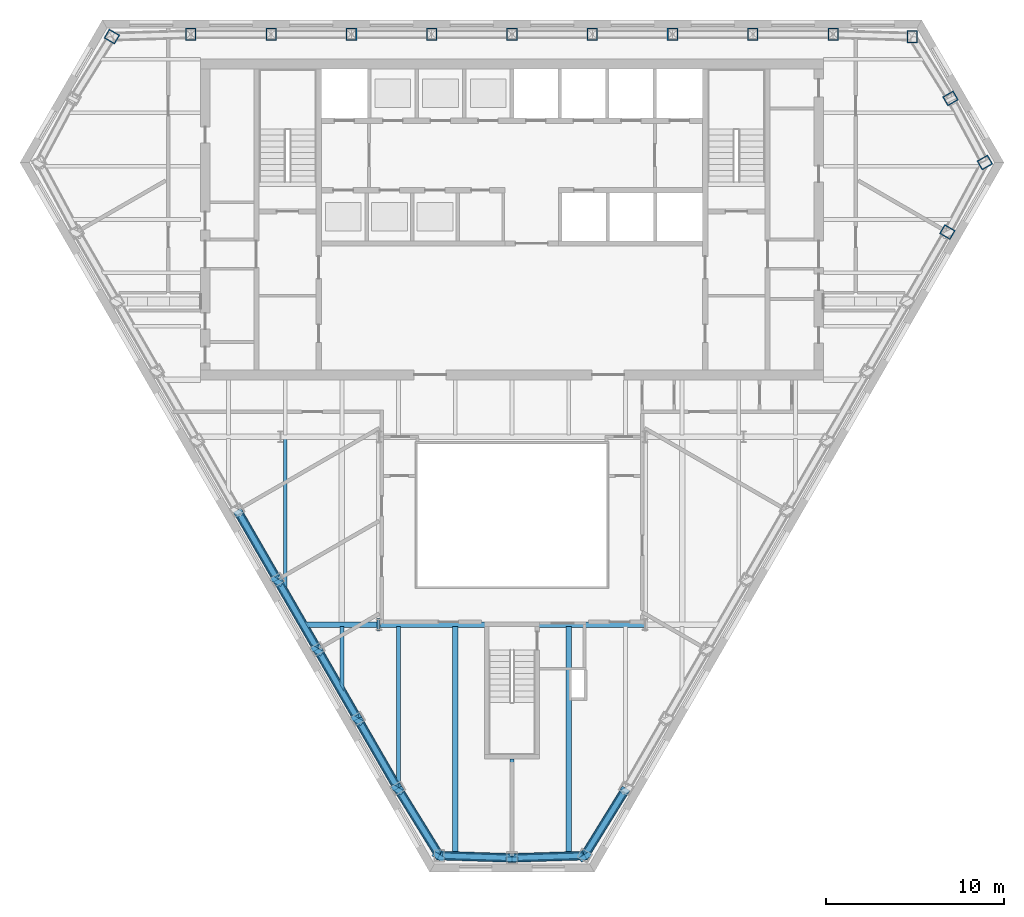
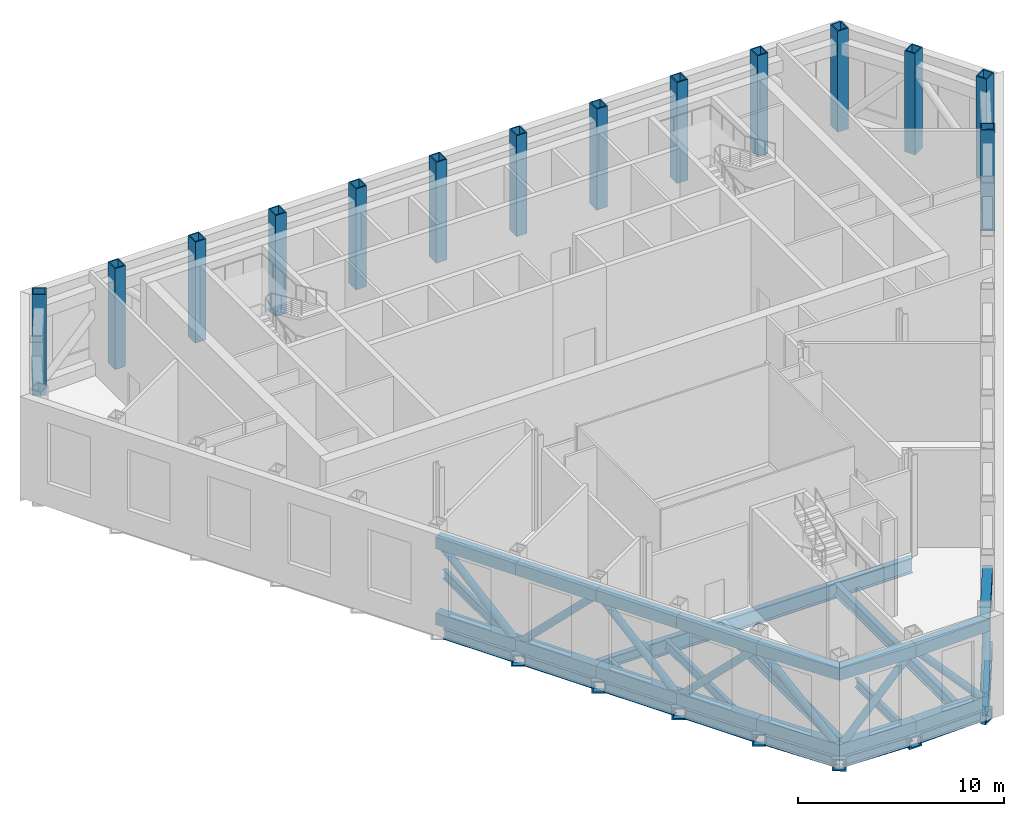
# One storey, part 2 of 15: 24 beams, 24 members, 14 columns.
"""IFC4 building model written with IfcOpenShell, lengths in metres."""

from ifc_helpers import new_model, si_unit, direction, frame, origin, origin_2d, place, context, subcontext, project, spatial, hollow_rectangle, hollow_circle, i_section, extrude, clip, halfspace, material, material_profile, profile_set, type_object, element, save


model = new_model("IFC4")

# Units and contexts
model_context = context("Model", 3, precision=1e-05, world=origin(), true_north=direction((0.0, 1.0)))
body_context = subcontext(model_context, "Body", "Model", "MODEL_VIEW")
ifc_project = project(units=[si_unit("LENGTHUNIT", "METRE"), si_unit("AREAUNIT", "SQUARE_METRE"), si_unit("VOLUMEUNIT", "CUBIC_METRE"), si_unit("PLANEANGLEUNIT", "RADIAN"), si_unit("MASSUNIT", "GRAM", prefix="KILO")], contexts=[model_context])

# Site, building, storey
site_placement = place(None, origin())
site = spatial("IfcSite", under=ifc_project, at=site_placement, CompositionType="ELEMENT")
building_placement = place(site_placement, origin())
building = spatial("IfcBuilding", under=site, at=building_placement, Name="Njiva Tower", CompositionType="ELEMENT")
storey_placement = place(building_placement, frame((0.0, 0.0, 133.8)))
storey = spatial("IfcBuildingStorey", under=building, at=storey_placement, Name="L28", CompositionType="ELEMENT", Elevation=133.8)

# Columns
ifc_material_1 = material(Name="Steel S355 J2", Category="steel")
ifc_material_profile_1 = material_profile(ifc_material_1, hollow_rectangle(XDim=0.6, YDim=0.7, WallThickness=0.06, at=origin_2d()), Name="BOX 700x600x60")
ifc_profile_set_1 = profile_set([ifc_material_profile_1], Name="Steel S355 J2")
column_type = type_object("IfcColumnType", Name="C9 Perimeter tube column BOX 700x600x60", PredefinedType="COLUMN", material=ifc_profile_set_1)
for number, where, z_axis, x_axis, name in (
    (1, (22.466, 19.267, 0.0), (0.0, 0.0, 1.0), (-1.0, 0.0, 0.0), "Perimeter tube column T2-C01"),
    (2, (18.034, 19.4, 0.0), (0.0, 0.0, 1.0), (-1.0, 0.0, 0.0), "Perimeter tube column T2-C02"),
    (3, (13.526, 19.4, 0.0), (0.0, 0.0, 1.0), (-1.0, 0.0, 0.0), "Perimeter tube column T2-C03"),
    (4, (9.017, 19.4, 0.0), (0.0, 0.0, 1.0), (-1.0, 0.0, 0.0), "Perimeter tube column T2-C04"),
    (5, (4.509, 19.4, 0.0), (0.0, 0.0, 1.0), (-1.0, 0.0, 0.0), "Perimeter tube column T2-C05"),
    (6, (0.0, 19.4, 0.0), (0.0, 0.0, 1.0), (-1.0, 0.0, 0.0), "Perimeter tube column T2-C06"),
    (7, (-4.509, 19.4, 0.0), (0.0, 0.0, 1.0), (-1.0, 0.0, 0.0), "Perimeter tube column T2-C07"),
    (8, (-9.017, 19.4, 0.0), (0.0, 0.0, 1.0), (-1.0, 0.0, 0.0), "Perimeter tube column T2-C08"),
    (9, (-13.526, 19.4, 0.0), (0.0, 0.0, 1.0), (-1.0, 0.0, 0.0), "Perimeter tube column T2-C09"),
    (10, (-18.034, 19.4, 0.0), (0.0, 0.0, 1.0), (-1.0, 0.0, 0.0), "Perimeter tube column T2-C10"),
    (11, (-22.466, 19.267, 0.0), (0.0, 0.0, 1.0), (-0.5, -0.866025403784, 0.0), "Perimeter tube column T2-C11"),
    (12, (24.447, 8.293, 0.0), (0.0, 0.0, 1.0), (0.5, 0.866025403784, 0.0), "Perimeter tube column T2-C34"),
    (13, (26.548, 12.198, 0.0), (0.0, 0.0, 1.0), (-0.5, 0.866025403784, 0.0), "Perimeter tube column T2-C35"),
    (14, (24.622, 15.799, 0.0), (0.0, 0.0, 1.0), (-0.5, 0.866025403784, 0.0), "Perimeter tube column T2-C36"),
):
    element("IfcColumn", number, at=place(storey_placement, frame(where, z_axis=z_axis, x_axis=x_axis)), inside=storey, type_object=column_type, Name=name, PredefinedType="COLUMN", context=body_context, shape_type="SweptSolid", body=[
        extrude(hollow_rectangle(XDim=0.6, YDim=0.7, WallThickness=0.06, at=origin_2d()), origin(), (0.0, 0.0, 1.0), 6.0),
    ])

# Beams
ifc_material_profile_2 = material_profile(ifc_material_1, i_section(OverallWidth=0.3, OverallDepth=0.69, WebThickness=0.0145, FlangeThickness=0.027, at=origin_2d()), Name="HEA 700")
ifc_profile_set_2 = profile_set([ifc_material_profile_2], Name="Steel S355 J2")
beam_type_1 = type_object("IfcBeamType", Name="B12 Long-span floor joist HEA 700", PredefinedType="JOIST", material=ifc_profile_set_2)
for number, where, z_axis, x_axis, name in (
    (15, (-3.183, -13.851, -0.545), (0.0, -1.0, 0.0), (1.0, 0.0, 0.0), "Long-span floor joist T2-B059"),
    (16, (3.183, -13.851, -0.545), (0.0, -1.0, 0.0), (1.0, 0.0, 0.0), "Long-span floor joist T2-B063"),
):
    element("IfcBeam", number, at=place(storey_placement, frame(where, z_axis=z_axis, x_axis=x_axis)), inside=storey, type_object=beam_type_1, Name=name, PredefinedType="JOIST", context=body_context, shape_type="SweptSolid", body=[
        extrude(i_section(OverallWidth=0.3, OverallDepth=0.69, WebThickness=0.0145, FlangeThickness=0.027, at=origin_2d()), origin(), (0.0, 0.0, 1.0), 12.79),
    ])
ifc_material_profile_3 = material_profile(ifc_material_1, hollow_rectangle(XDim=0.7, YDim=0.7, WallThickness=0.08, at=origin_2d()), Name="BOX 700x700x80")
ifc_profile_set_3 = profile_set([ifc_material_profile_3], Name="Steel S355 J2")
beam_type_2 = type_object("IfcBeamType", Name="B19 Column jog beam BOX 700x700x80", PredefinedType="BEAM", material=ifc_profile_set_3)
beam_1_placement = place(storey_placement, frame((-13.293, -11.432, -0.55), z_axis=(0.503447958837, 0.864025550978, 0.0), x_axis=(-0.864025550978, 0.503447958837, 0.0)))
element("IfcBeam", 17, at=beam_1_placement, inside=storey, type_object=beam_type_2, Name="Column jog beam T2-B028", PredefinedType="BEAM", context=body_context, shape_type="SweptSolid", body=[
    extrude(hollow_rectangle(XDim=0.7, YDim=0.7, WallThickness=0.08, at=origin_2d()), origin(), (0.0, 0.0, 1.0), 0.294),
])
beam_2_placement = place(storey_placement, frame((-11.041, -15.336, -0.55), z_axis=(0.511007817722, 0.859576064247, 0.0), x_axis=(-0.859576064247, 0.511007817722, 0.0)))
element("IfcBeam", 18, at=beam_2_placement, inside=storey, type_object=beam_type_2, Name="Column jog beam T2-B029", PredefinedType="BEAM", context=body_context, shape_type="SweptSolid", body=[
    extrude(hollow_rectangle(XDim=0.7, YDim=0.7, WallThickness=0.08, at=origin_2d()), origin(), (0.0, 0.0, 1.0), 0.2955),
])
beam_3_placement = place(storey_placement, frame((-8.787, -19.24, -0.55), z_axis=(0.512497875226, 0.858688492929, 0.0), x_axis=(-0.858688492929, 0.512497875226, 0.0)))
element("IfcBeam", 19, at=beam_3_placement, inside=storey, type_object=beam_type_2, Name="Column jog beam T2-B030", PredefinedType="BEAM", context=body_context, shape_type="SweptSolid", body=[
    extrude(hollow_rectangle(XDim=0.7, YDim=0.7, WallThickness=0.08, at=origin_2d()), origin(), (0.0, 0.0, 1.0), 0.2946),
])
beam_4_placement = place(storey_placement, frame((-6.533, -23.142, -0.55), z_axis=(0.519513166522, 0.854462444938, 0.0), x_axis=(-0.854462444938, 0.519513166522, 0.0)))
element("IfcBeam", 20, at=beam_4_placement, inside=storey, type_object=beam_type_2, Name="Column jog beam T2-B033", PredefinedType="BEAM", context=body_context, shape_type="SweptSolid", body=[
    extrude(hollow_rectangle(XDim=0.7, YDim=0.7, WallThickness=0.08, at=origin_2d()), origin(), (0.0, 0.0, 1.0), 0.2926),
])
beam_5_placement = place(storey_placement, frame((-4.202, -26.913, -0.55), z_axis=(0.521033983049, 0.853535932758, 0.0), x_axis=(-0.853535932758, 0.521033983049, 0.0)))
element("IfcBeam", 21, at=beam_5_placement, inside=storey, type_object=beam_type_2, Name="Column jog beam T2-B034", PredefinedType="BEAM", context=body_context, shape_type="SweptSolid", body=[
    extrude(hollow_rectangle(XDim=0.7, YDim=0.7, WallThickness=0.08, at=origin_2d()), origin(), (0.0, 0.0, 1.0), 0.2917),
])
beam_6_placement = place(storey_placement, frame((0.0, -27.055, -0.55), z_axis=(0.0, 1.0, 0.0), x_axis=(-1.0, 0.0, 0.0)))
element("IfcBeam", 22, at=beam_6_placement, inside=storey, type_object=beam_type_2, Name="Column jog beam T2-B035", PredefinedType="BEAM", context=body_context, shape_type="SweptSolid", body=[
    extrude(hollow_rectangle(XDim=0.7, YDim=0.7, WallThickness=0.08, at=origin_2d()), origin(), (0.0, 0.0, 1.0), 0.267),
])
beam_7_placement = place(storey_placement, frame((4.202, -26.913, -0.55), z_axis=(-0.521033983049, 0.853535932758, 0.0), x_axis=(-0.853535932758, -0.521033983049, 0.0)))
element("IfcBeam", 23, at=beam_7_placement, inside=storey, type_object=beam_type_2, Name="Column jog beam T2-B036", PredefinedType="BEAM", context=body_context, shape_type="SweptSolid", body=[
    extrude(hollow_rectangle(XDim=0.7, YDim=0.7, WallThickness=0.08, at=origin_2d()), origin(), (0.0, 0.0, 1.0), 0.2917),
])
beam_8_placement = place(storey_placement, frame((-7.57, -13.75, -0.55), z_axis=(1.0, 0.0, 0.0), x_axis=(0.0, 1.0, 0.0)))
element("IfcBeam", 24, at=beam_8_placement, inside=storey, type_object=beam_type_2, Name="Column jog beam T2-B031", PredefinedType="BEAM", context=body_context, shape_type="SweptSolid", body=[
    extrude(hollow_rectangle(XDim=0.7, YDim=0.7, WallThickness=0.08, at=origin_2d()), origin(), (0.0, 0.0, 1.0), 0.17),
])
ifc_material_profile_4 = material_profile(ifc_material_1, i_section(OverallWidth=0.3, OverallDepth=0.59, WebThickness=0.013, FlangeThickness=0.025, at=origin_2d()), Name="HEA 600")
ifc_profile_set_4 = profile_set([ifc_material_profile_4], Name="Steel S355 J2")
beam_type_3 = type_object("IfcBeamType", Name="B27 Short-span spandrel beam HEA 600", PredefinedType="SPANDREL", material=ifc_profile_set_4)
beam_9_placement = place(storey_placement, frame((-15.248, -7.639, -0.495), z_axis=(0.499890179513, -0.866088799389, 0.0), x_axis=(0.866088799389, 0.499890179513, 0.0)))
element("IfcBeam", 25, at=beam_9_placement, inside=storey, type_object=beam_type_3, Name="Short-span spandrel beam T2-B087", PredefinedType="SPANDREL", context=body_context, shape_type="SweptSolid", body=[
    extrude(i_section(OverallWidth=0.3, OverallDepth=0.59, WebThickness=0.013, FlangeThickness=0.025, at=origin_2d()), origin(), (0.0, 0.0, 1.0), 3.9569),
])
beam_10_placement = place(storey_placement, frame((-12.995, -11.543, -0.495), z_axis=(0.500079715141, -0.865979375335, 0.0), x_axis=(0.865979375335, 0.500079715141, 0.0)))
element("IfcBeam", 26, at=beam_10_placement, inside=storey, type_object=beam_type_3, Name="Short-span spandrel beam T2-B089", PredefinedType="SPANDREL", context=body_context, shape_type="SweptSolid", body=[
    extrude(i_section(OverallWidth=0.3, OverallDepth=0.59, WebThickness=0.013, FlangeThickness=0.025, at=origin_2d()), origin(), (0.0, 0.0, 1.0), 3.9574),
])
beam_11_placement = place(storey_placement, frame((-10.741, -15.446, -0.495), z_axis=(0.499970304126, -0.866042548026, 0.0), x_axis=(0.866042548026, 0.499970304126, 0.0)))
element("IfcBeam", 27, at=beam_11_placement, inside=storey, type_object=beam_type_3, Name="Short-span spandrel beam T2-B090", PredefinedType="SPANDREL", context=body_context, shape_type="SweptSolid", body=[
    extrude(i_section(OverallWidth=0.3, OverallDepth=0.59, WebThickness=0.013, FlangeThickness=0.025, at=origin_2d()), origin(), (0.0, 0.0, 1.0), 3.9582),
])
beam_12_placement = place(storey_placement, frame((-8.487, -19.35, -0.495), z_axis=(0.500079715141, -0.865979375335, 0.0), x_axis=(0.865979375335, 0.500079715141, 0.0)))
element("IfcBeam", 28, at=beam_12_placement, inside=storey, type_object=beam_type_3, Name="Short-span spandrel beam T2-B092", PredefinedType="SPANDREL", context=body_context, shape_type="SweptSolid", body=[
    extrude(i_section(OverallWidth=0.3, OverallDepth=0.59, WebThickness=0.013, FlangeThickness=0.025, at=origin_2d()), origin(), (0.0, 0.0, 1.0), 3.9574),
])
beam_13_placement = place(storey_placement, frame((-6.222, -23.251, -0.495), z_axis=(0.52567337766, -0.850686487503, 0.0), x_axis=(0.850686487503, 0.52567337766, 0.0)))
element("IfcBeam", 29, at=beam_13_placement, inside=storey, type_object=beam_type_3, Name="Short-span spandrel beam T2-B093", PredefinedType="SPANDREL", context=body_context, shape_type="Clipping", body=[
    clip(extrude(i_section(OverallWidth=0.3, OverallDepth=0.59, WebThickness=0.013, FlangeThickness=0.025, at=origin_2d()), origin(), (0.0, 0.0, 1.0), 4.0052), halfspace(frame((-0.026, 0.0, 3.8761), z_axis=(-0.52567337766, 0.0, 0.850686487503), x_axis=(0.0, 1.0, 0.0)), False)),
])
beam_14_placement = place(storey_placement, frame((-3.892, -26.721, -0.495), z_axis=(0.999467093729, -0.032642434835, 0.0), x_axis=(0.032642434835, 0.999467093729, 0.0)))
element("IfcBeam", 30, at=beam_14_placement, inside=storey, type_object=beam_type_3, Name="Short-span spandrel beam T2-B095", PredefinedType="SPANDREL", context=body_context, shape_type="SweptSolid", body=[
    extrude(i_section(OverallWidth=0.3, OverallDepth=0.59, WebThickness=0.013, FlangeThickness=0.025, at=origin_2d()), origin(), (0.0, 0.0, 1.0), 3.6149),
])
beam_15_placement = place(storey_placement, frame((0.279, -26.839, -0.495), z_axis=(0.999471196505, 0.032516570496, 0.0), x_axis=(-0.032516570496, 0.999471196505, 0.0)))
element("IfcBeam", 31, at=beam_15_placement, inside=storey, type_object=beam_type_3, Name="Short-span spandrel beam T2-B097", PredefinedType="SPANDREL", context=body_context, shape_type="Clipping", body=[
    clip(extrude(i_section(OverallWidth=0.3, OverallDepth=0.59, WebThickness=0.013, FlangeThickness=0.025, at=origin_2d()), origin(), (0.0, 0.0, 1.0), 3.7419), halfspace(frame((-0.0259, 0.0, 3.6128), z_axis=(-0.527893822548, 0.0, 0.849310374431), x_axis=(0.0, 1.0, 0.0)), False)),
])
beam_16_placement = place(storey_placement, frame((4.184, -26.548, -0.495), z_axis=(0.525794946338, 0.850611353325, 0.0), x_axis=(-0.850611353325, 0.525794946338, 0.0)))
element("IfcBeam", 32, at=beam_16_placement, inside=storey, type_object=beam_type_3, Name="Short-span spandrel beam T2-B098", PredefinedType="SPANDREL", context=body_context, shape_type="SweptSolid", body=[
    extrude(i_section(OverallWidth=0.3, OverallDepth=0.59, WebThickness=0.013, FlangeThickness=0.025, at=origin_2d()), origin(), (0.0, 0.0, 1.0), 3.876),
])
ifc_material_profile_5 = material_profile(ifc_material_1, i_section(OverallWidth=0.3, OverallDepth=0.59, WebThickness=0.013, FlangeThickness=0.025, at=origin_2d()), Name="HEA 600")
ifc_profile_set_5 = profile_set([ifc_material_profile_5], Name="Steel S355 J2")
beam_type_4 = type_object("IfcBeamType", Name="B29 Short-span floor girder HEA 600", PredefinedType="BEAM", material=ifc_profile_set_5)
beam_17_placement = place(storey_placement, frame((-11.712, -13.75, -0.495), z_axis=(1.0, 0.0, 0.0), x_axis=(0.0, 1.0, 0.0)))
element("IfcBeam", 33, at=beam_17_placement, inside=storey, type_object=beam_type_4, Name="Short-span floor girder T2-B016", PredefinedType="BEAM", context=body_context, shape_type="Clipping", body=[
    clip(extrude(i_section(OverallWidth=0.3, OverallDepth=0.59, WebThickness=0.013, FlangeThickness=0.025, at=origin_2d()), origin(), (0.0, 0.0, 1.0), 4.252), halfspace(frame((-0.025, 0.0, 0.1217), z_axis=(-0.499998009787, 0.0, -0.866026552831), x_axis=(0.0, -1.0, 0.0)), False)),
])
ifc_material_profile_6 = material_profile(ifc_material_1, i_section(OverallWidth=0.21, OverallDepth=0.55, WebThickness=0.0111, FlangeThickness=0.0172, at=origin_2d()), Name="IPE 550")
ifc_profile_set_6 = profile_set([ifc_material_profile_6], Name="Steel S355 J2")
beam_type_5 = type_object("IfcBeamType", Name="B31 Short-span floor joist IPE 550", PredefinedType="JOIST", material=ifc_profile_set_6)
beam_18_placement = place(storey_placement, frame((-9.55, -13.85, -0.475), z_axis=(0.0, -1.0, 0.0), x_axis=(1.0, 0.0, 0.0)))
element("IfcBeam", 34, at=beam_18_placement, inside=storey, type_object=beam_type_5, Name="Short-span floor joist T2-B054", PredefinedType="JOIST", context=body_context, shape_type="Clipping", body=[
    clip(extrude(i_section(OverallWidth=0.21, OverallDepth=0.55, WebThickness=0.0111, FlangeThickness=0.0172, at=origin_2d()), origin(), (0.0, 0.0, 1.0), 3.661), halfspace(frame((-0.0433, 0.0, 3.3839), z_axis=(-0.866026552831, 0.0, 0.499998009787), x_axis=(0.0, 1.0, 0.0)), False)),
])
ifc_material_profile_7 = material_profile(ifc_material_1, i_section(OverallWidth=0.21, OverallDepth=0.55, WebThickness=0.0111, FlangeThickness=0.0172, at=origin_2d()), Name="IPE 550")
ifc_profile_set_7 = profile_set([ifc_material_profile_7], Name="Steel S355 J2")
beam_type_6 = type_object("IfcBeamType", Name="B32 Floor joist IPE 550", PredefinedType="JOIST", material=ifc_profile_set_7)
beam_19_placement = place(storey_placement, frame((-12.733, -3.3, -0.475), z_axis=(0.0, -1.0, 0.0), x_axis=(1.0, 0.0, 0.0)))
element("IfcBeam", 35, at=beam_19_placement, inside=storey, type_object=beam_type_6, Name="Floor joist T2-B052", PredefinedType="JOIST", context=body_context, shape_type="Clipping", body=[
    clip(extrude(i_section(OverallWidth=0.21, OverallDepth=0.55, WebThickness=0.0111, FlangeThickness=0.0172, at=origin_2d()), origin(), (0.0, 0.0, 1.0), 8.697), halfspace(frame((-0.0436, 0.0, 8.4202), z_axis=(-0.866026552831, 0.0, 0.499998009787), x_axis=(0.0, 1.0, 0.0)), False)),
])
beam_20_placement = place(storey_placement, frame((-6.367, -13.851, -0.475), z_axis=(0.0, -1.0, 0.0), x_axis=(1.0, 0.0, 0.0)))
element("IfcBeam", 36, at=beam_20_placement, inside=storey, type_object=beam_type_6, Name="Floor joist T2-B057", PredefinedType="JOIST", context=body_context, shape_type="Clipping", body=[
    clip(extrude(i_section(OverallWidth=0.21, OverallDepth=0.55, WebThickness=0.0111, FlangeThickness=0.0172, at=origin_2d()), origin(), (0.0, 0.0, 1.0), 8.925), halfspace(frame((0.0253, 0.0, 8.8299), z_axis=(0.499998009787, 0.0, 0.866026552831), x_axis=(0.0, 1.0, 0.0)), False)),
])
beam_21_placement = place(storey_placement, frame((0.0, -21.3, -0.475), z_axis=(0.0, -1.0, 0.0), x_axis=(1.0, 0.0, 0.0)))
element("IfcBeam", 37, at=beam_21_placement, inside=storey, type_object=beam_type_6, Name="Floor joist T2-B061", PredefinedType="JOIST", context=body_context, shape_type="SweptSolid", body=[
    extrude(i_section(OverallWidth=0.21, OverallDepth=0.55, WebThickness=0.0111, FlangeThickness=0.0172, at=origin_2d()), origin(), (0.0, 0.0, 1.0), 5.395),
])
ifc_material_profile_8 = material_profile(ifc_material_1, i_section(OverallWidth=0.302, OverallDepth=0.91, WebThickness=0.021, FlangeThickness=0.04, at=origin_2d()), Name="HEM 900")
ifc_profile_set_8 = profile_set([ifc_material_profile_8], Name="Steel S355 J2")
beam_type_7 = type_object("IfcBeamType", Name="B8 Long-span atrium trimmer beam HEM 900", PredefinedType="BEAM", material=ifc_profile_set_8)
beam_22_placement = place(storey_placement, frame((-7.46, -13.75, -0.655), z_axis=(1.0, 0.0, 0.0), x_axis=(0.0, 1.0, 0.0)))
element("IfcBeam", 38, at=beam_22_placement, inside=storey, type_object=beam_type_7, Name="Long-span atrium trimmer beam T2-B075", PredefinedType="BEAM", context=body_context, shape_type="SweptSolid", body=[
    extrude(i_section(OverallWidth=0.302, OverallDepth=0.91, WebThickness=0.021, FlangeThickness=0.04, at=origin_2d()), origin(), (0.0, 0.0, 1.0), 14.92),
])

# Members
ifc_material_profile_9 = material_profile(ifc_material_1, hollow_rectangle(XDim=0.5, YDim=0.7, WallThickness=0.04, at=origin_2d()), Name="BOX 700x500x40")
ifc_profile_set_9 = profile_set([ifc_material_profile_9], Name="Steel S355 J2")
member_type_1 = type_object("IfcMemberType", Name="TC2 Belt truss chord BOX 700x500x40", PredefinedType="CHORD", material=ifc_profile_set_9)
for number, where, z_axis, x_axis, name in (
    (39, (-15.43, -7.325, 0.35), (0.500074377092, -0.865982457891, 0.0), (0.865982457891, 0.500074377092, 0.0), "Belt truss chord T2-TR052"),
    (40, (-15.43, -7.325, 4.86), (0.500074377092, -0.865982457891, 0.0), (0.865982457891, 0.500074377092, 0.0), "Belt truss chord T2-TR053"),
):
    element("IfcMember", number, at=place(storey_placement, frame(where, z_axis=z_axis, x_axis=x_axis)), inside=storey, type_object=member_type_1, Name=name, PredefinedType="CHORD", context=body_context, shape_type="SweptSolid", body=[
        extrude(hollow_rectangle(XDim=0.5, YDim=0.7, WallThickness=0.04, at=origin_2d()), origin(), (0.0, 0.0, 1.0), 4.5093),
    ])
for number, where, z_axis, x_axis, name in (
    (41, (-13.175, -11.23, 0.35), (0.500004084281, -0.866023045711, 0.0), (0.866023045711, 0.500004084281, 0.0), "Belt truss chord T2-TR055"),
    (42, (-13.175, -11.23, 4.86), (0.500004084281, -0.866023045711, 0.0), (0.866023045711, 0.500004084281, 0.0), "Belt truss chord T2-TR056"),
):
    element("IfcMember", number, at=place(storey_placement, frame(where, z_axis=z_axis, x_axis=x_axis)), inside=storey, type_object=member_type_1, Name=name, PredefinedType="CHORD", context=body_context, shape_type="SweptSolid", body=[
        extrude(hollow_rectangle(XDim=0.5, YDim=0.7, WallThickness=0.04, at=origin_2d()), origin(), (0.0, 0.0, 1.0), 4.508),
    ])
for number, where, z_axis, x_axis, name in (
    (43, (-10.921, -15.134, 0.35), (0.499908044067, -0.866078488058, 0.0), (0.866078488058, 0.499908044067, 0.0), "Belt truss chord T2-TR058"),
    (44, (-10.921, -15.134, 4.86), (0.499908044067, -0.866078488058, 0.0), (0.866078488058, 0.499908044067, 0.0), "Belt truss chord T2-TR059"),
):
    element("IfcMember", number, at=place(storey_placement, frame(where, z_axis=z_axis, x_axis=x_axis)), inside=storey, type_object=member_type_1, Name=name, PredefinedType="CHORD", context=body_context, shape_type="SweptSolid", body=[
        extrude(hollow_rectangle(XDim=0.5, YDim=0.7, WallThickness=0.04, at=origin_2d()), origin(), (0.0, 0.0, 1.0), 4.5088),
    ])
member_1_placement = place(storey_placement, frame((-8.667, -19.039, 0.35), z_axis=(0.500170427951, -0.865926984799, 0.0), x_axis=(0.865926984799, 0.500170427951, 0.0)))
element("IfcMember", 45, at=member_1_placement, inside=storey, type_object=member_type_1, Name="Belt truss chord T2-TR061", PredefinedType="CHORD", context=body_context, shape_type="Clipping", body=[
    clip(extrude(hollow_rectangle(XDim=0.5, YDim=0.7, WallThickness=0.04, at=origin_2d()), origin(), (0.0, 0.0, 1.0), 4.5425), halfspace(frame((0.0, -134.15, 4.5085), z_axis=(0.014865519453, 0.0, 0.999889502061), x_axis=(0.0, 1.0, 0.0)), False)),
])
member_2_placement = place(storey_placement, frame((-8.667, -19.039, 4.86), z_axis=(0.500170427951, -0.865926984799, 0.0), x_axis=(0.865926984799, 0.500170427951, 0.0)))
element("IfcMember", 46, at=member_2_placement, inside=storey, type_object=member_type_1, Name="Belt truss chord T2-TR062", PredefinedType="CHORD", context=body_context, shape_type="Clipping", body=[
    clip(extrude(hollow_rectangle(XDim=0.5, YDim=0.7, WallThickness=0.04, at=origin_2d()), origin(), (0.0, 0.0, 1.0), 4.5425), halfspace(frame((0.0, -138.66, 4.5085), z_axis=(0.014865519453, 0.0, 0.999889502061), x_axis=(0.0, 1.0, 0.0)), False)),
])
member_3_placement = place(storey_placement, frame((-6.4299, -22.9141, 0.35), z_axis=(0.525694523504, -0.850673420273, 0.0), x_axis=(0.850673420273, 0.525694523504, 0.0)))
element("IfcMember", 47, at=member_3_placement, inside=storey, type_object=member_type_1, Name="Belt truss chord T2-TR064", PredefinedType="CHORD", context=body_context, shape_type="Clipping", body=[
    clip(clip(extrude(hollow_rectangle(XDim=0.5, YDim=0.7, WallThickness=0.04, at=origin_2d()), origin(), (0.0, 0.0, 1.0), 4.6321), halfspace(frame((0.0, -134.15, 0.034), z_axis=(0.014869151968, 0.0, -0.999889448049), x_axis=(0.0, -1.0, 0.0)), False)), halfspace(frame((0.0, -134.15, 4.4681), z_axis=(0.472687117275, 0.0, 0.881230326965), x_axis=(0.0, 1.0, 0.0)), False)),
])
member_4_placement = place(storey_placement, frame((-6.4299, -22.9141, 4.86), z_axis=(0.525694523504, -0.850673420273, 0.0), x_axis=(0.850673420273, 0.525694523504, 0.0)))
element("IfcMember", 48, at=member_4_placement, inside=storey, type_object=member_type_1, Name="Belt truss chord T2-TR065", PredefinedType="CHORD", context=body_context, shape_type="Clipping", body=[
    clip(clip(extrude(hollow_rectangle(XDim=0.5, YDim=0.7, WallThickness=0.04, at=origin_2d()), origin(), (0.0, 0.0, 1.0), 4.6321), halfspace(frame((0.0, -138.66, 0.034), z_axis=(0.014869151968, 0.0, -0.999889448049), x_axis=(0.0, -1.0, 0.0)), False)), halfspace(frame((0.0, -138.66, 4.4681), z_axis=(0.472687117275, 0.0, 0.881230326965), x_axis=(0.0, 1.0, 0.0)), False)),
])
member_5_placement = place(storey_placement, frame((-4.2449, -26.7097, 0.35), z_axis=(0.999469366929, -0.032572758099, 0.0), x_axis=(0.032572758099, 0.999469366929, 0.0)))
element("IfcMember", 49, at=member_5_placement, inside=storey, type_object=member_type_1, Name="Belt truss chord T2-TR067", PredefinedType="CHORD", context=body_context, shape_type="Clipping", body=[
    clip(clip(extrude(hollow_rectangle(XDim=0.5, YDim=0.7, WallThickness=0.04, at=origin_2d()), origin(), (0.0, 0.0, 1.0), 4.2852), halfspace(frame((0.0, -134.15, 0.164), z_axis=(0.472697088053, 0.0, -0.881224978621), x_axis=(0.0, -1.0, 0.0)), False)), halfspace(frame((0.0, -134.15, 4.2472), z_axis=(0.032572758099, 0.0, 0.999469366929), x_axis=(0.0, 1.0, 0.0)), False)),
])
member_6_placement = place(storey_placement, frame((-4.2449, -26.7097, 4.86), z_axis=(0.999469366929, -0.032572758099, 0.0), x_axis=(0.032572758099, 0.999469366929, 0.0)))
element("IfcMember", 50, at=member_6_placement, inside=storey, type_object=member_type_1, Name="Belt truss chord T2-TR068", PredefinedType="CHORD", context=body_context, shape_type="Clipping", body=[
    clip(clip(extrude(hollow_rectangle(XDim=0.5, YDim=0.7, WallThickness=0.04, at=origin_2d()), origin(), (0.0, 0.0, 1.0), 4.2852), halfspace(frame((0.0, -138.66, 0.164), z_axis=(0.472697088053, 0.0, -0.881224978621), x_axis=(0.0, -1.0, 0.0)), False)), halfspace(frame((0.0, -138.66, 4.2472), z_axis=(0.032572758099, 0.0, 0.999469366929), x_axis=(0.0, 1.0, 0.0)), False)),
])
member_7_placement = place(storey_placement, frame((-0.038, -26.8492, 0.35), z_axis=(0.999469366929, 0.032572758099, 0.0), x_axis=(-0.032572758099, 0.999469366929, 0.0)))
element("IfcMember", 51, at=member_7_placement, inside=storey, type_object=member_type_1, Name="Belt truss chord T2-TR070", PredefinedType="CHORD", context=body_context, shape_type="Clipping", body=[
    clip(clip(extrude(hollow_rectangle(XDim=0.5, YDim=0.7, WallThickness=0.04, at=origin_2d()), origin(), (0.0, 0.0, 1.0), 4.2852), halfspace(frame((0.0, -134.15, 0.038), z_axis=(0.032572758099, 0.0, -0.999469366929), x_axis=(0.0, -1.0, 0.0)), False)), halfspace(frame((0.0, -134.15, 4.1212), z_axis=(0.472697088053, 0.0, 0.881224978621), x_axis=(0.0, 1.0, 0.0)), False)),
])
member_8_placement = place(storey_placement, frame((-0.038, -26.8492, 4.86), z_axis=(0.999469366929, 0.032572758099, 0.0), x_axis=(-0.032572758099, 0.999469366929, 0.0)))
element("IfcMember", 52, at=member_8_placement, inside=storey, type_object=member_type_1, Name="Belt truss chord T2-TR071", PredefinedType="CHORD", context=body_context, shape_type="Clipping", body=[
    clip(clip(extrude(hollow_rectangle(XDim=0.5, YDim=0.7, WallThickness=0.04, at=origin_2d()), origin(), (0.0, 0.0, 1.0), 4.2852), halfspace(frame((0.0, -138.66, 0.038), z_axis=(0.032572758099, 0.0, -0.999469366929), x_axis=(0.0, -1.0, 0.0)), False)), halfspace(frame((0.0, -138.66, 4.1212), z_axis=(0.472697088053, 0.0, 0.881224978621), x_axis=(0.0, 1.0, 0.0)), False)),
])
member_9_placement = place(storey_placement, frame((3.9948, -26.8545, 0.35), z_axis=(0.525694523504, 0.850673420273, 0.0), x_axis=(-0.850673420273, 0.525694523504, 0.0)))
element("IfcMember", 53, at=member_9_placement, inside=storey, type_object=member_type_1, Name="Belt truss chord T2-TR073", PredefinedType="CHORD", context=body_context, shape_type="Clipping", body=[
    clip(clip(extrude(hollow_rectangle(XDim=0.5, YDim=0.7, WallThickness=0.04, at=origin_2d()), origin(), (0.0, 0.0, 1.0), 4.6321), halfspace(frame((0.0, -134.15, 0.164), z_axis=(0.472687117275, 0.0, -0.881230326965), x_axis=(0.0, -1.0, 0.0)), False)), halfspace(frame((0.0, -134.15, 4.5981), z_axis=(0.014869151968, 0.0, 0.999889448049), x_axis=(0.0, 1.0, 0.0)), False)),
])
member_10_placement = place(storey_placement, frame((3.9948, -26.8545, 4.86), z_axis=(0.525694523504, 0.850673420273, 0.0), x_axis=(-0.850673420273, 0.525694523504, 0.0)))
element("IfcMember", 54, at=member_10_placement, inside=storey, type_object=member_type_1, Name="Belt truss chord T2-TR074", PredefinedType="CHORD", context=body_context, shape_type="Clipping", body=[
    clip(clip(extrude(hollow_rectangle(XDim=0.5, YDim=0.7, WallThickness=0.04, at=origin_2d()), origin(), (0.0, 0.0, 1.0), 4.6321), halfspace(frame((0.0, -138.66, 0.164), z_axis=(0.472687117275, 0.0, -0.881230326965), x_axis=(0.0, -1.0, 0.0)), False)), halfspace(frame((0.0, -138.66, 4.5981), z_axis=(0.014869151968, 0.0, 0.999889448049), x_axis=(0.0, 1.0, 0.0)), False)),
])
ifc_material_2 = material(Name="Steel S355 J2H", Category="steel")
ifc_material_profile_10 = material_profile(ifc_material_2, hollow_circle(Radius=0.2032, WallThickness=0.016, at=origin_2d()), Name="CHS 406.4x16")
ifc_profile_set_10 = profile_set([ifc_material_profile_10], Name="Steel S355 J2H")
member_type_2 = type_object("IfcMemberType", Name="TD2 Belt truss diagonal CHS 406.4x16", PredefinedType="BRACE", material=ifc_profile_set_10)
member_11_placement = place(storey_placement, frame((-15.5131, -7.1811, 5.0262), z_axis=(0.353579683933, -0.612296525835, -0.707159367866), x_axis=(0.865982457891, 0.500074377092, 0.0)))
element("IfcMember", 55, at=member_11_placement, inside=storey, type_object=member_type_2, Name="Belt truss diagonal T2-TR054", PredefinedType="BRACE", context=body_context, shape_type="Clipping", body=[
    clip(clip(extrude(hollow_circle(Radius=0.2032, WallThickness=0.016, at=origin_2d()), origin(), (0.0, 0.0, 1.0), 6.8476), halfspace(frame((17.0252, 0.7304, 1.4461), z_axis=(0.0, 0.707054190596, -0.707159367866), x_axis=(0.0, -0.707159367866, -0.707054190596)), False)), halfspace(frame((17.0252, -1.9776, 4.1545), z_axis=(0.0, -0.707054190596, 0.707159367866), x_axis=(0.0, 0.707159367866, 0.707054190596)), False)),
])
member_12_placement = place(storey_placement, frame((-13.2581, -11.0861, 0.1838), z_axis=(0.353476414343, -0.612232440815, 0.707266472355), x_axis=(0.866023045711, 0.500004084281, 0.0)))
element("IfcMember", 56, at=member_12_placement, inside=storey, type_object=member_type_2, Name="Belt truss diagonal T2-TR057", PredefinedType="BRACE", context=body_context, shape_type="Clipping", body=[
    clip(clip(extrude(hollow_circle(Radius=0.2032, WallThickness=0.016, at=origin_2d()), origin(), (0.0, 0.0, 1.0), 6.8467), halfspace(frame((17.0249, 2.4597, -1.7428), z_axis=(0.0, -0.706947053946, -0.707266472355), x_axis=(0.0, -0.707266472355, 0.706947053946)), False)), halfspace(frame((17.0249, 5.1673, 0.966), z_axis=(0.0, 0.706947053946, 0.707266472355), x_axis=(0.0, 0.707266472355, -0.706947053946)), False)),
])
member_13_placement = place(storey_placement, frame((-11.0041, -14.9901, 5.0262), z_axis=(0.353442477114, -0.612330467228, -0.707198567784), x_axis=(0.866078488058, 0.499908044067, 0.0)))
element("IfcMember", 57, at=member_13_placement, inside=storey, type_object=member_type_2, Name="Belt truss diagonal T2-TR060", PredefinedType="BRACE", context=body_context, shape_type="Clipping", body=[
    clip(clip(extrude(hollow_circle(Radius=0.2032, WallThickness=0.016, at=origin_2d()), origin(), (0.0, 0.0, 1.0), 6.8473), halfspace(frame((17.0241, -5.6489, -4.9316), z_axis=(0.0, 0.707014982673, -0.707198567784), x_axis=(0.0, -0.707198567784, -0.707014982673)), False)), halfspace(frame((17.0241, -8.3567, -2.223), z_axis=(0.0, -0.707014982673, 0.707198567784), x_axis=(0.0, 0.707198567784, 0.707014982673)), False)),
])
member_14_placement = place(storey_placement, frame((-8.7501, -18.8951, 0.1838), z_axis=(0.353613630572, -0.612198498339, 0.707227261144), x_axis=(0.865926984799, 0.500170427951, 0.0)))
element("IfcMember", 58, at=member_14_placement, inside=storey, type_object=member_type_2, Name="Belt truss diagonal T2-TR063", PredefinedType="BRACE", context=body_context, shape_type="Clipping", body=[
    clip(clip(extrude(hollow_circle(Radius=0.2032, WallThickness=0.016, at=origin_2d()), origin(), (0.0, 0.0, 1.0), 6.847), halfspace(frame((17.0277, 8.8342, -8.1154), z_axis=(0.0, -0.706986280697, -0.707227261144), x_axis=(0.0, -0.707227261144, 0.706986280697)), False)), halfspace(frame((17.0277, 11.5419, -5.4067), z_axis=(0.0, 0.706986280697, 0.707227261144), x_axis=(0.0, 0.707227261144, -0.706986280697)), False)),
])
member_15_placement = place(storey_placement, frame((-6.4975, -22.8046, 5.0254), z_axis=(0.36855588294, -0.596393303497, -0.713078949833), x_axis=(0.850673420273, 0.525694523504, 0.0)))
element("IfcMember", 59, at=member_15_placement, inside=storey, type_object=member_type_2, Name="Belt truss diagonal T2-TR066", PredefinedType="BRACE", context=body_context, shape_type="Clipping", body=[
    clip(clip(extrude(hollow_circle(Radius=0.2032, WallThickness=0.016, at=origin_2d()), origin(), (0.0, 0.0, 1.0), 6.7887), halfspace(frame((17.5155, -11.7519, -10.8454), z_axis=(0.0, 0.70108374058, -0.713078949833), x_axis=(0.0, -0.713078949833, -0.70108374058)), False)), halfspace(frame((17.5155, -14.4371, -8.1143), z_axis=(0.0, -0.70108374058, 0.713078949833), x_axis=(0.0, 0.713078949833, 0.70108374058)), False)),
])
member_16_placement = place(storey_placement, frame((-4.2259, -26.7103, 0.1899), z_axis=(0.670800325398, -0.021861417123, 0.741315723486), x_axis=(0.032572758099, 0.999469366929, 0.0)))
element("IfcMember", 60, at=member_16_placement, inside=storey, type_object=member_type_2, Name="Belt truss diagonal T2-TR069", PredefinedType="BRACE", context=body_context, shape_type="Clipping", body=[
    clip(clip(extrude(hollow_circle(Radius=0.2032, WallThickness=0.016, at=origin_2d()), origin(), (0.0, 0.0, 1.0), 6.5158), halfspace(frame((26.8338, -2.1504, 2.6216), z_axis=(0.0, -0.671156463213, -0.741315723486), x_axis=(0.0, -0.741315723486, 0.671156463213)), False)), halfspace(frame((26.8338, 0.4201, 5.4608), z_axis=(0.0, 0.671156463213, 0.741315723486), x_axis=(0.0, 0.741315723486, -0.671156463213)), False)),
])
member_17_placement = place(storey_placement, frame((-0.1449, -26.8527, 5.0201), z_axis=(0.670800325398, 0.021861417123, -0.741315723486), x_axis=(-0.032572758099, 0.999469366929, 0.0)))
element("IfcMember", 61, at=member_17_placement, inside=storey, type_object=member_type_2, Name="Belt truss diagonal T2-TR072", PredefinedType="BRACE", context=body_context, shape_type="Clipping", body=[
    clip(clip(extrude(hollow_circle(Radius=0.2032, WallThickness=0.016, at=origin_2d()), origin(), (0.0, 0.0, 1.0), 6.5158), halfspace(frame((26.8338, 0.4201, 1.055), z_axis=(0.0, 0.671156463213, -0.741315723486), x_axis=(0.0, -0.741315723486, -0.671156463213)), False)), halfspace(frame((26.8338, -2.1504, 3.8942), z_axis=(0.0, -0.671156463213, 0.741315723486), x_axis=(0.0, 0.741315723486, 0.671156463213)), False)),
])
member_18_placement = place(storey_placement, frame((3.9955, -26.8534, 0.1846), z_axis=(0.36855588294, 0.596393303497, 0.713078949833), x_axis=(-0.850673420273, 0.525694523504, 0.0)))
element("IfcMember", 62, at=member_18_placement, inside=storey, type_object=member_type_2, Name="Belt truss diagonal T2-TR075", PredefinedType="BRACE", context=body_context, shape_type="Clipping", body=[
    clip(clip(extrude(hollow_circle(Radius=0.2032, WallThickness=0.016, at=origin_2d()), origin(), (0.0, 0.0, 1.0), 6.7887), halfspace(frame((17.5155, -14.4371, 14.903), z_axis=(0.0, -0.70108374058, -0.713078949833), x_axis=(0.0, -0.713078949833, 0.70108374058)), False)), halfspace(frame((17.5155, -11.7519, 17.6341), z_axis=(0.0, 0.70108374058, 0.713078949833), x_axis=(0.0, 0.713078949833, -0.70108374058)), False)),
])

save(model, "model.ifc")
